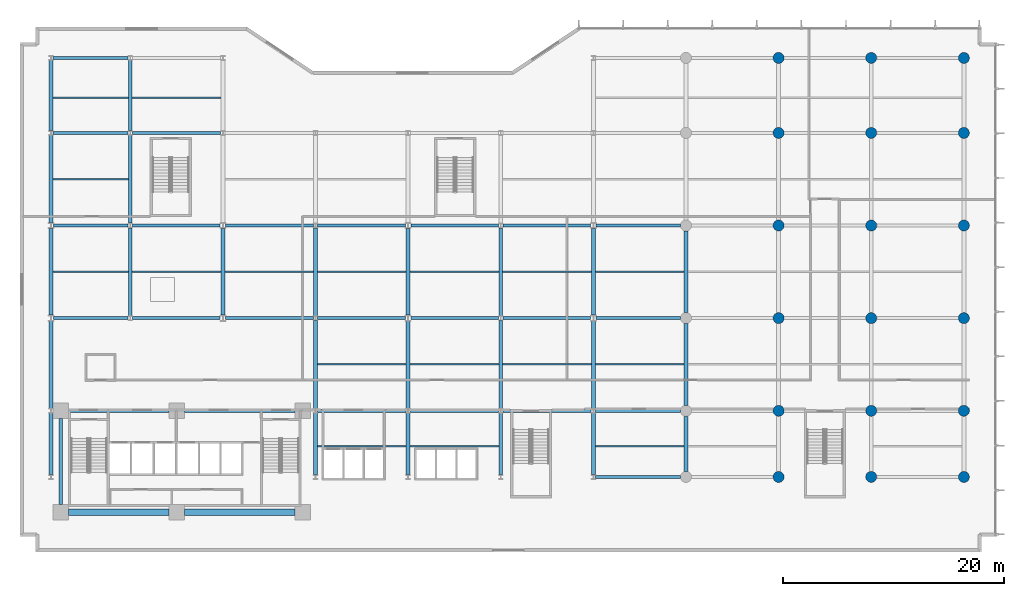
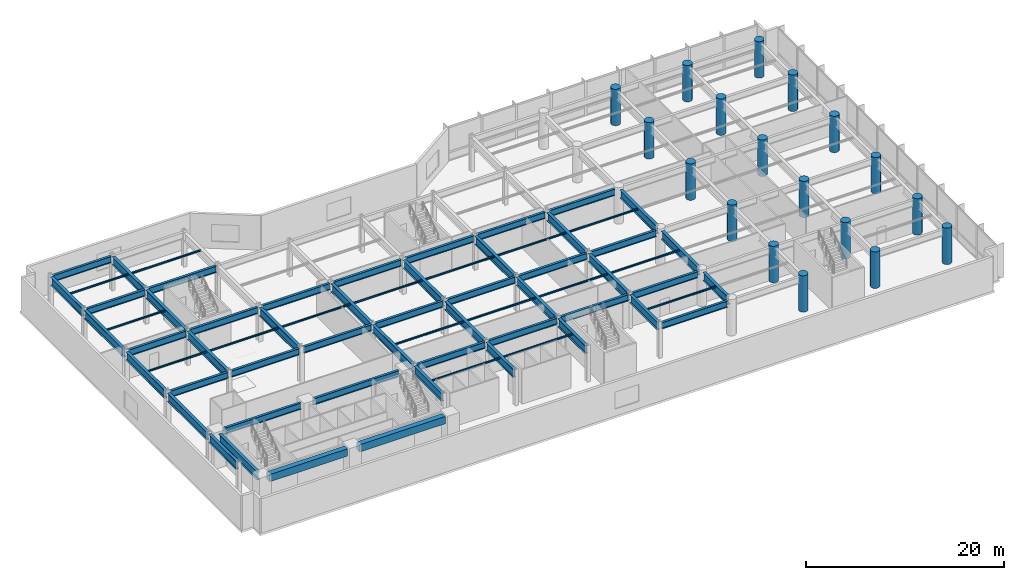
# One storey, part 3 of 26: 68 beams, 18 columns.
"""IFC4 building model written with IfcOpenShell, lengths in metres."""

import ifcopenshell
import ifcopenshell.guid

model = None  # the IFC model being written
_history = None  # IfcOwnerHistory: only IFC2X3 demands one
_inside = {}  # id of a spatial element -> (the spatial element, [elements in it])
_under = {}  # id of a project, library or spatial element -> (it, [spatial elements below it])
_declared = {}  # id of a project -> (the project, [libraries it declares])
_typed = {}  # id of a type object -> (the type object, [elements of that type])
_made_of = {}  # id of a material, layer set ... -> (it, [elements and type objects made of it])


def new_model(schema):
    """Start an empty IFC model of exactly this schema.

    Asked for "IFC4X3", IfcOpenShell would pick the latest addendum, in which some entities
    have other attributes; the version numbers below select the first issue.
    IFC2X3 requires an IfcOwnerHistory on every rooted entity: one is made here for all.
    """
    global model, _history
    if schema == "IFC4X3":
        model = ifcopenshell.file(schema_version=(4, 3, 0, 0))
    else:
        model = ifcopenshell.file(schema=schema)
    _inside.clear()
    _under.clear()
    _declared.clear()
    _typed.clear()
    _made_of.clear()
    _history = None
    if model.schema == "IFC2X3":
        org = make("IfcOrganization", Name="unknown")
        user = make(
            "IfcPersonAndOrganization",
            ThePerson=make("IfcPerson", FamilyName="unknown"),
            TheOrganization=org,
        )
        app = make(
            "IfcApplication",
            ApplicationDeveloper=org,
            Version="unknown",
            ApplicationFullName="unknown",
            ApplicationIdentifier="unknown",
        )
        _history = make(
            "IfcOwnerHistory",
            OwningUser=user,
            OwningApplication=app,
            ChangeAction="ADDED",
            CreationDate=0,
        )
    return model


def make(cls, **values):
    """One entity of the class cls with the attributes given. An attribute that is None is left unset."""
    return model.create_entity(
        cls, **{name: value for name, value in values.items() if value is not None}
    )


def rooted(cls, **values):
    """An entity with a GlobalId (a new one), such as an element, a storey or a relation."""
    return make(cls, GlobalId=ifcopenshell.guid.new(), OwnerHistory=_history, **values)


def si_unit(unit_type, name, prefix=None):
    """IfcSIUnit, for example si_unit("LENGTHUNIT", "METRE", prefix="MILLI")."""
    return make("IfcSIUnit", UnitType=unit_type, Prefix=prefix, Name=name)


def assignment(units):
    """IfcUnitAssignment: the units of a project."""
    return None if units is None else make("IfcUnitAssignment", Units=units)


def point(xyz):
    """IfcCartesianPoint."""
    return None if xyz is None else make("IfcCartesianPoint", Coordinates=xyz)


def direction(xyz):
    """IfcDirection."""
    return None if xyz is None else make("IfcDirection", DirectionRatios=xyz)


def frame(location, z_axis=None, x_axis=None):
    """IfcAxis2Placement3D, a coordinate frame: its origin and axes. An axis left out is left unset."""
    return make(
        "IfcAxis2Placement3D",
        Location=point(location),
        Axis=direction(z_axis),
        RefDirection=direction(x_axis),
    )


def frame_2d(location, x_axis=None):
    """IfcAxis2Placement2D, a coordinate frame in the plane: its origin and x axis."""
    return make(
        "IfcAxis2Placement2D", Location=point(location), RefDirection=direction(x_axis)
    )


def origin():
    """The frame at (0, 0, 0) with its axes left unset."""
    return frame((0.0, 0.0, 0.0))


def origin_2d():
    """The frame at (0, 0) in the plane with its x axis left unset."""
    return frame_2d((0.0, 0.0))


def place(relative_to, where):
    """IfcLocalPlacement: puts the frame where relative to a parent placement (None: the world)."""
    return make(
        "IfcLocalPlacement", PlacementRelTo=relative_to, RelativePlacement=where
    )


def context(
    kind, dimensions, precision=None, world=None, true_north=None, identifier=None
):
    """IfcGeometricRepresentationContext, for example the 3D "Model" context."""
    return make(
        "IfcGeometricRepresentationContext",
        ContextIdentifier=identifier,
        ContextType=kind,
        CoordinateSpaceDimension=dimensions,
        Precision=precision,
        WorldCoordinateSystem=world,
        TrueNorth=true_north,
    )


def subcontext(parent, identifier, kind, view, scale=None):
    """IfcGeometricRepresentationSubContext, for example "Body" below "Model"."""
    return make(
        "IfcGeometricRepresentationSubContext",
        ContextIdentifier=identifier,
        ContextType=kind,
        ParentContext=parent,
        TargetScale=scale,
        TargetView=view,
    )


def project(units=None, contexts=None):
    """IfcProject with its units and contexts."""
    return rooted(
        "IfcProject",
        Name="project",
        RepresentationContexts=contexts,
        UnitsInContext=assignment(units),
    )


def spatial(cls, under=None, at=None, **own):
    """A site, building, storey or space (cls), placed at a placement, below another one or the project."""
    s = rooted(cls, ObjectPlacement=at, **own)
    if under is not None:
        _under.setdefault(under.id(), (under, []))[1].append(s)
    return s


def profile(cls, at=None, kind="AREA", **sizes):
    """A parametric profile (cls). Its sizes go by their IFC names, for example OverallWidth=200.0."""
    return make(cls, ProfileType=kind, Position=at, **sizes)


def rectangle(**sizes):
    """IfcRectangleProfileDef."""
    return profile("IfcRectangleProfileDef", **sizes)


def circle(**sizes):
    """IfcCircleProfileDef."""
    return profile("IfcCircleProfileDef", **sizes)


def i_section(**sizes):
    """IfcIShapeProfileDef."""
    return profile("IfcIShapeProfileDef", **sizes)


def extrude(swept, where, along, depth):
    """IfcExtrudedAreaSolid: the profile swept, set in the frame where, extruded along a direction by depth."""
    return make(
        "IfcExtrudedAreaSolid",
        SweptArea=swept,
        Position=where,
        ExtrudedDirection=direction(along),
        Depth=depth,
    )


def shape(context_of_items, identifier, shape_type, items):
    """IfcShapeRepresentation: the items that make up one representation, for example the "Body"."""
    return make(
        "IfcShapeRepresentation",
        ContextOfItems=context_of_items,
        RepresentationIdentifier=identifier,
        RepresentationType=shape_type,
        Items=items,
    )


def material(Name=None, Category=None):
    """IfcMaterial."""
    return make("IfcMaterial", Name=Name, Category=Category)


def material_profile(
    of_material, cross_section, Name=None, Category=None, Priority=None
):
    """IfcMaterialProfile: a cross section and its material."""
    return make(
        "IfcMaterialProfile",
        Name=Name,
        Material=of_material,
        Profile=cross_section,
        Priority=Priority,
        Category=Category,
    )


def profile_set(profiles, Name=None, composite=None):
    """IfcMaterialProfileSet."""
    return make(
        "IfcMaterialProfileSet",
        Name=Name,
        MaterialProfiles=profiles,
        CompositeProfile=composite,
    )


def made_of(thing, what):
    """Note that an element or type object is made of a material, layer set ...; save() writes the relation."""
    if what is not None:
        _made_of.setdefault(what.id(), (what, []))[1].append(thing)
    return thing


def type_object(cls, material=None, **own):
    """A type object (cls), such as IfcWallType, which elements share."""
    return made_of(rooted(cls, **own), material)


def element(
    cls,
    number,
    at=None,
    inside=None,
    cuts=None,
    type_object=None,
    material=None,
    context=None,
    identifier="Body",
    shape_type=None,
    held_by="IfcProductDefinitionShape",
    body=None,
    shapes=None,
    **own,
):
    """One element of the class cls, such as IfcWall. Its Tag is "e" and its number.

    at: its placement. inside: the storey or other place that contains it. cuts: it is an
    opening in that element (IfcRelVoidsElement). A single representation is given by context,
    identifier, shape_type and body (its items); several are given by shapes. held_by: the class
    of the entity that holds the representations. save() writes the other relations.
    """
    e = rooted(cls, Tag="e%d" % number, ObjectPlacement=at, **own)
    if body is not None:
        shapes = [shape(context, identifier, shape_type, body)]
    if shapes is not None:
        e.Representation = make(held_by, Representations=shapes)
    if inside is not None:
        _inside.setdefault(inside.id(), (inside, []))[1].append(e)
    if cuts is not None:
        rooted(
            "IfcRelVoidsElement", RelatingBuildingElement=cuts, RelatedOpeningElement=e
        )
    if type_object is not None:
        _typed.setdefault(type_object.id(), (type_object, []))[1].append(e)
    return made_of(e, material)


def aggregate(whole, parts):
    """IfcRelAggregates: a whole, such as a stair, and the parts it consists of."""
    return rooted("IfcRelAggregates", RelatingObject=whole, RelatedObjects=parts)


def save(model, path):
    """Write the relations noted so far, then the file.

    IfcRelAggregates (storeys below a building ...), IfcRelContainedInSpatialStructure (elements
    in a storey), IfcRelDefinesByType, IfcRelAssociatesMaterial and IfcRelDeclares: one each for
    every whole, place, type object, material and project.
    """
    for whole, parts in _under.values():
        aggregate(whole, parts)
    for where, things in _inside.values():
        rooted(
            "IfcRelContainedInSpatialStructure",
            RelatedElements=things,
            RelatingStructure=where,
        )
    for kind, things in _typed.values():
        rooted("IfcRelDefinesByType", RelatedObjects=things, RelatingType=kind)
    for what, things in _made_of.values():
        rooted("IfcRelAssociatesMaterial", RelatedObjects=things, RelatingMaterial=what)
    for by, libraries in _declared.values():
        rooted("IfcRelDeclares", RelatingContext=by, RelatedDefinitions=libraries)
    model.write(path)


model = new_model("IFC4")

# Units and contexts
model_context = context("Model", 3, precision=1e-05, world=origin(), true_north=direction((0.0, 1.0)))
body_context = subcontext(model_context, "Body", "Model", "MODEL_VIEW")
ifc_project = project(units=[si_unit("LENGTHUNIT", "METRE"), si_unit("AREAUNIT", "SQUARE_METRE"), si_unit("VOLUMEUNIT", "CUBIC_METRE"), si_unit("PLANEANGLEUNIT", "RADIAN"), si_unit("MASSUNIT", "GRAM", prefix="KILO")], contexts=[model_context])

# Site, building, storey
site_placement = place(None, origin())
site = spatial("IfcSite", under=ifc_project, at=site_placement, CompositionType="ELEMENT")
building_placement = place(site_placement, origin())
building = spatial("IfcBuilding", under=site, at=building_placement, Name="Varnakote Quay Hospital", CompositionType="ELEMENT")
storey_placement = place(building_placement, frame((0.0, 0.0, 13.5)))
storey = spatial("IfcBuildingStorey", under=building, at=storey_placement, Name="L03", CompositionType="ELEMENT", Elevation=13.5)

# Columns
ifc_material_1 = material(Name="Concrete N65 (f'c 65 MPa)", Category="concrete")
ifc_material_profile_1 = material_profile(ifc_material_1, circle(Radius=0.5, at=origin_2d()), Name="RC-COL-D1000")
ifc_profile_set_1 = profile_set([ifc_material_profile_1], Name="Concrete N65 (f'c 65 MPa)")
column_type = type_object("IfcColumnType", Name="COL-RC-D1000", PredefinedType="COLUMN", material=ifc_profile_set_1)
for number, where, z_axis, x_axis, name in (
    (1, (67.199951171875, 6.0, 0.0), (0.0, 0.0, 1.0), (1.0, 0.0, 0.0), "L03 Structural Column C-67-6"),
    (2, (75.60009765625, 6.0, 0.0), (0.0, 0.0, 1.0), (1.0, 0.0, 0.0), "L03 Structural Column C-76-6"),
    (3, (84.0, 6.0, 0.0), (0.0, 0.0, 1.0), (1.0, 0.0, 0.0), "L03 Structural Column C-84-6"),
    (4, (67.199951171875, 12.0, 0.0), (0.0, 0.0, 1.0), (1.0, 0.0, 0.0), "L03 Structural Column C-67-12"),
    (5, (75.60009765625, 12.0, 0.0), (0.0, 0.0, 1.0), (1.0, 0.0, 0.0), "L03 Structural Column C-76-12"),
    (6, (84.0, 12.0, 0.0), (0.0, 0.0, 1.0), (1.0, 0.0, 0.0), "L03 Structural Column C-84-12"),
    (7, (67.199951171875, 20.39990234375, 0.0), (0.0, 0.0, 1.0), (1.0, 0.0, 0.0), "L03 Structural Column C-67-20"),
    (8, (75.60009765625, 20.39990234375, 0.0), (0.0, 0.0, 1.0), (1.0, 0.0, 0.0), "L03 Structural Column C-76-20"),
    (9, (84.0, 20.39990234375, 0.0), (0.0, 0.0, 1.0), (1.0, 0.0, 0.0), "L03 Structural Column C-84-20"),
    (10, (67.199951171875, 28.800048828125, 0.0), (0.0, 0.0, 1.0), (1.0, 0.0, 0.0), "L03 Structural Column C-67-29"),
    (11, (75.60009765625, 28.800048828125, 0.0), (0.0, 0.0, 1.0), (1.0, 0.0, 0.0), "L03 Structural Column C-76-29"),
    (12, (84.0, 28.800048828125, 0.0), (0.0, 0.0, 1.0), (1.0, 0.0, 0.0), "L03 Structural Column C-84-29"),
    (13, (67.199951171875, 37.199951171875, 0.0), (0.0, 0.0, 1.0), (1.0, 0.0, 0.0), "L03 Structural Column C-67-37"),
    (14, (75.60009765625, 37.199951171875, 0.0), (0.0, 0.0, 1.0), (1.0, 0.0, 0.0), "L03 Structural Column C-76-37"),
    (15, (84.0, 37.199951171875, 0.0), (0.0, 0.0, 1.0), (1.0, 0.0, 0.0), "L03 Structural Column C-84-37"),
    (16, (67.199951171875, 44.0, 0.0), (0.0, 0.0, 1.0), (1.0, 0.0, 0.0), "L03 Structural Column C-67-44"),
    (17, (75.60009765625, 44.0, 0.0), (0.0, 0.0, 1.0), (1.0, 0.0, 0.0), "L03 Structural Column C-76-44"),
    (18, (84.0, 44.0, 0.0), (0.0, 0.0, 1.0), (1.0, 0.0, 0.0), "L03 Structural Column C-84-44"),
):
    element("IfcColumn", number, at=place(storey_placement, frame(where, z_axis=z_axis, x_axis=x_axis)), inside=storey, type_object=column_type, Name=name, PredefinedType="COLUMN", context=body_context, shape_type="SweptSolid", body=[
        extrude(circle(Radius=0.5, at=origin_2d()), origin(), (0.0, 0.0, 1.0), 4.5),
    ])

# Beams
ifc_material_2 = material(Name="Concrete N65 (f'c 65 MPa)", Category="concrete")
ifc_material_profile_2 = material_profile(ifc_material_2, rectangle(XDim=0.60009765625, YDim=0.89990234375, at=origin_2d()), Name="RC-BM-600x900")
ifc_profile_set_2 = profile_set([ifc_material_profile_2], Name="Concrete N65 (f'c 65 MPa)")
beam_type_1 = type_object("IfcBeamType", Name="BM-RC-600x900", PredefinedType="BEAM", material=ifc_profile_set_2)
beam_1_placement = place(storey_placement, frame((2.800048828125, 2.800048828125, 3.800048828125), z_axis=(1.0, 0.0, 0.0), x_axis=(0.0, 1.0, 0.0)))
element("IfcBeam", 19, at=beam_1_placement, inside=storey, type_object=beam_type_1, Name="L03 Core Rear Coupling Beam", PredefinedType="BEAM", context=body_context, shape_type="SweptSolid", body=[
    extrude(rectangle(XDim=0.60009765625, YDim=0.89990234375, at=origin_2d()), origin(), (0.0, 0.0, 1.0), 9.119873046875),
])
beam_2_placement = place(storey_placement, frame((13.320068359375, 2.800048828125, 3.800048828125), z_axis=(1.0, 0.0, 0.0), x_axis=(0.0, 1.0, 0.0)))
element("IfcBeam", 20, at=beam_2_placement, inside=storey, type_object=beam_type_1, Name="L03 Core Rear Coupling Beam", PredefinedType="BEAM", context=body_context, shape_type="SweptSolid", body=[
    extrude(rectangle(XDim=0.60009765625, YDim=0.89990234375, at=origin_2d()), origin(), (0.0, 0.0, 1.0), 10.030029296875),
])
ifc_material_3 = material(Name="Structural steel AS/NZS 3678 Grade 350 (fy 340 MPa)", Category="steel")
ifc_material_profile_3 = material_profile(ifc_material_3, i_section(OverallWidth=0.35009765625, OverallDepth=1.010009765625, WebThickness=0.01611328125, FlangeThickness=0.02490234375, at=origin_2d()), Name="1000WB258")
ifc_profile_set_3 = profile_set([ifc_material_profile_3], Name="Structural steel AS/NZS 3678 Grade 350 (fy 340 MPa)")
beam_type_2 = type_object("IfcBeamType", Name="BM-STL-1000WB258", PredefinedType="BEAM", material=ifc_profile_set_3)
beam_3_placement = place(storey_placement, frame((1.199951171875, 6.2099609375, 3.7451171875), z_axis=(0.0, 1.0, 0.0), x_axis=(-1.0, 0.0, 0.0)))
element("IfcBeam", 21, at=beam_3_placement, inside=storey, type_object=beam_type_2, Name="L03 Primary Tie Beam", PredefinedType="BEAM", context=body_context, shape_type="SweptSolid", body=[
    extrude(i_section(OverallWidth=0.35009765625, OverallDepth=1.010009765625, WebThickness=0.01611328125, FlangeThickness=0.02490234375, at=origin_2d()), origin(), (0.0, 0.0, 1.0), 5.580078125),
])
beam_4_placement = place(storey_placement, frame((1.199951171875, 12.2099609375, 3.7451171875), z_axis=(0.0, 1.0, 0.0), x_axis=(-1.0, 0.0, 0.0)))
element("IfcBeam", 22, at=beam_4_placement, inside=storey, type_object=beam_type_2, Name="L03 Primary Tie Beam", PredefinedType="BEAM", context=body_context, shape_type="SweptSolid", body=[
    extrude(i_section(OverallWidth=0.35009765625, OverallDepth=1.010009765625, WebThickness=0.01611328125, FlangeThickness=0.02490234375, at=origin_2d()), origin(), (0.0, 0.0, 1.0), 7.925048828125),
])
beam_5_placement = place(storey_placement, frame((1.199951171875, 20.6650390625, 3.7451171875), z_axis=(0.0, 1.0, 0.0), x_axis=(-1.0, 0.0, 0.0)))
element("IfcBeam", 23, at=beam_5_placement, inside=storey, type_object=beam_type_2, Name="L03 Primary Tie Beam", PredefinedType="BEAM", context=body_context, shape_type="SweptSolid", body=[
    extrude(i_section(OverallWidth=0.35009765625, OverallDepth=1.010009765625, WebThickness=0.01611328125, FlangeThickness=0.02490234375, at=origin_2d()), origin(), (0.0, 0.0, 1.0), 7.869873046875),
])
beam_6_placement = place(storey_placement, frame((1.199951171875, 29.06494140625, 3.7451171875), z_axis=(0.0, 1.0, 0.0), x_axis=(-1.0, 0.0, 0.0)))
element("IfcBeam", 24, at=beam_6_placement, inside=storey, type_object=beam_type_2, Name="L03 Primary Tie Beam", PredefinedType="BEAM", context=body_context, shape_type="SweptSolid", body=[
    extrude(i_section(OverallWidth=0.35009765625, OverallDepth=1.010009765625, WebThickness=0.01611328125, FlangeThickness=0.02490234375, at=origin_2d()), origin(), (0.0, 0.0, 1.0), 7.925048828125),
])
beam_7_placement = place(storey_placement, frame((1.199951171875, 37.409912109375, 3.7451171875), z_axis=(0.0, 1.0, 0.0), x_axis=(-1.0, 0.0, 0.0)))
element("IfcBeam", 25, at=beam_7_placement, inside=storey, type_object=beam_type_2, Name="L03 Primary Tie Beam", PredefinedType="BEAM", context=body_context, shape_type="SweptSolid", body=[
    extrude(i_section(OverallWidth=0.35009765625, OverallDepth=1.010009765625, WebThickness=0.01611328125, FlangeThickness=0.02490234375, at=origin_2d()), origin(), (0.0, 0.0, 1.0), 6.380126953125),
])
beam_8_placement = place(storey_placement, frame((2.10009765625, 3.5, 3.7451171875), z_axis=(0.0, 1.0, 0.0), x_axis=(-1.0, 0.0, 0.0)))
element("IfcBeam", 26, at=beam_8_placement, inside=storey, type_object=beam_type_2, Name="L03 Primary Tie Beam", PredefinedType="BEAM", context=body_context, shape_type="SweptSolid", body=[
    extrude(i_section(OverallWidth=0.35009765625, OverallDepth=1.010009765625, WebThickness=0.01611328125, FlangeThickness=0.02490234375, at=origin_2d()), origin(), (0.0, 0.0, 1.0), 7.800048828125),
])
for number, where, z_axis, x_axis, name in (
    (27, (8.39990234375, 20.610107421875, 3.7451171875), (0.0, 1.0, 0.0), (-1.0, 0.0, 0.0), "L03 Primary Tie Beam"),
    (28, (8.39990234375, 29.010009765625, 3.7451171875), (0.0, 1.0, 0.0), (-1.0, 0.0, 0.0), "L03 Primary Tie Beam"),
):
    element("IfcBeam", number, at=place(storey_placement, frame(where, z_axis=z_axis, x_axis=x_axis)), inside=storey, type_object=beam_type_2, Name=name, PredefinedType="BEAM", context=body_context, shape_type="SweptSolid", body=[
        extrude(i_section(OverallWidth=0.35009765625, OverallDepth=1.010009765625, WebThickness=0.01611328125, FlangeThickness=0.02490234375, at=origin_2d()), origin(), (0.0, 0.0, 1.0), 7.97998046875),
    ])
beam_9_placement = place(storey_placement, frame((8.39990234375, 37.409912109375, 3.7451171875), z_axis=(0.0, 1.0, 0.0), x_axis=(-1.0, 0.0, 0.0)))
element("IfcBeam", 29, at=beam_9_placement, inside=storey, type_object=beam_type_2, Name="L03 Primary Tie Beam", PredefinedType="BEAM", context=body_context, shape_type="SweptSolid", body=[
    extrude(i_section(OverallWidth=0.35009765625, OverallDepth=1.010009765625, WebThickness=0.01611328125, FlangeThickness=0.02490234375, at=origin_2d()), origin(), (0.0, 0.0, 1.0), 6.380126953125),
])
beam_10_placement = place(storey_placement, frame((16.800048828125, 20.6650390625, 3.7451171875), z_axis=(0.0, 1.0, 0.0), x_axis=(-1.0, 0.0, 0.0)))
element("IfcBeam", 30, at=beam_10_placement, inside=storey, type_object=beam_type_2, Name="L03 Primary Tie Beam", PredefinedType="BEAM", context=body_context, shape_type="SweptSolid", body=[
    extrude(i_section(OverallWidth=0.35009765625, OverallDepth=1.010009765625, WebThickness=0.01611328125, FlangeThickness=0.02490234375, at=origin_2d()), origin(), (0.0, 0.0, 1.0), 7.869873046875),
])
beam_11_placement = place(storey_placement, frame((25.199951171875, 6.2099609375, 3.7451171875), z_axis=(0.0, 1.0, 0.0), x_axis=(-1.0, 0.0, 0.0)))
element("IfcBeam", 31, at=beam_11_placement, inside=storey, type_object=beam_type_2, Name="L03 Primary Tie Beam", PredefinedType="BEAM", context=body_context, shape_type="SweptSolid", body=[
    extrude(i_section(OverallWidth=0.35009765625, OverallDepth=1.010009765625, WebThickness=0.01611328125, FlangeThickness=0.02490234375, at=origin_2d()), origin(), (0.0, 0.0, 1.0), 5.580078125),
])
for number, where, z_axis, x_axis, name in (
    (32, (25.199951171875, 12.2099609375, 3.7451171875), (0.0, 1.0, 0.0), (-1.0, 0.0, 0.0), "L03 Primary Tie Beam"),
    (33, (25.199951171875, 20.610107421875, 3.7451171875), (0.0, 1.0, 0.0), (-1.0, 0.0, 0.0), "L03 Primary Tie Beam"),
):
    element("IfcBeam", number, at=place(storey_placement, frame(where, z_axis=z_axis, x_axis=x_axis)), inside=storey, type_object=beam_type_2, Name=name, PredefinedType="BEAM", context=body_context, shape_type="SweptSolid", body=[
        extrude(i_section(OverallWidth=0.35009765625, OverallDepth=1.010009765625, WebThickness=0.01611328125, FlangeThickness=0.02490234375, at=origin_2d()), origin(), (0.0, 0.0, 1.0), 7.97998046875),
    ])
beam_12_placement = place(storey_placement, frame((33.60009765625, 6.2099609375, 3.7451171875), z_axis=(0.0, 1.0, 0.0), x_axis=(-1.0, 0.0, 0.0)))
element("IfcBeam", 34, at=beam_12_placement, inside=storey, type_object=beam_type_2, Name="L03 Primary Tie Beam", PredefinedType="BEAM", context=body_context, shape_type="SweptSolid", body=[
    extrude(i_section(OverallWidth=0.35009765625, OverallDepth=1.010009765625, WebThickness=0.01611328125, FlangeThickness=0.02490234375, at=origin_2d()), origin(), (0.0, 0.0, 1.0), 5.580078125),
])
beam_13_placement = place(storey_placement, frame((33.60009765625, 12.2099609375, 3.7451171875), z_axis=(0.0, 1.0, 0.0), x_axis=(-1.0, 0.0, 0.0)))
element("IfcBeam", 35, at=beam_13_placement, inside=storey, type_object=beam_type_2, Name="L03 Primary Tie Beam", PredefinedType="BEAM", context=body_context, shape_type="SweptSolid", body=[
    extrude(i_section(OverallWidth=0.35009765625, OverallDepth=1.010009765625, WebThickness=0.01611328125, FlangeThickness=0.02490234375, at=origin_2d()), origin(), (0.0, 0.0, 1.0), 7.925048828125),
])
beam_14_placement = place(storey_placement, frame((33.60009765625, 20.6650390625, 3.7451171875), z_axis=(0.0, 1.0, 0.0), x_axis=(-1.0, 0.0, 0.0)))
element("IfcBeam", 36, at=beam_14_placement, inside=storey, type_object=beam_type_2, Name="L03 Primary Tie Beam", PredefinedType="BEAM", context=body_context, shape_type="SweptSolid", body=[
    extrude(i_section(OverallWidth=0.35009765625, OverallDepth=1.010009765625, WebThickness=0.01611328125, FlangeThickness=0.02490234375, at=origin_2d()), origin(), (0.0, 0.0, 1.0), 7.869873046875),
])
beam_15_placement = place(storey_placement, frame((42.0, 6.2099609375, 3.7451171875), z_axis=(0.0, 1.0, 0.0), x_axis=(-1.0, 0.0, 0.0)))
element("IfcBeam", 37, at=beam_15_placement, inside=storey, type_object=beam_type_2, Name="L03 Primary Tie Beam", PredefinedType="BEAM", context=body_context, shape_type="SweptSolid", body=[
    extrude(i_section(OverallWidth=0.35009765625, OverallDepth=1.010009765625, WebThickness=0.01611328125, FlangeThickness=0.02490234375, at=origin_2d()), origin(), (0.0, 0.0, 1.0), 5.580078125),
])
for number, where, z_axis, x_axis, name in (
    (38, (42.0, 12.2099609375, 3.7451171875), (0.0, 1.0, 0.0), (-1.0, 0.0, 0.0), "L03 Primary Tie Beam"),
    (39, (42.0, 20.610107421875, 3.7451171875), (0.0, 1.0, 0.0), (-1.0, 0.0, 0.0), "L03 Primary Tie Beam"),
):
    element("IfcBeam", number, at=place(storey_placement, frame(where, z_axis=z_axis, x_axis=x_axis)), inside=storey, type_object=beam_type_2, Name=name, PredefinedType="BEAM", context=body_context, shape_type="SweptSolid", body=[
        extrude(i_section(OverallWidth=0.35009765625, OverallDepth=1.010009765625, WebThickness=0.01611328125, FlangeThickness=0.02490234375, at=origin_2d()), origin(), (0.0, 0.0, 1.0), 7.97998046875),
    ])
beam_16_placement = place(storey_placement, frame((50.39990234375, 6.2099609375, 3.7451171875), z_axis=(0.0, 1.0, 0.0), x_axis=(-1.0, 0.0, 0.0)))
element("IfcBeam", 40, at=beam_16_placement, inside=storey, type_object=beam_type_2, Name="L03 Primary Tie Beam", PredefinedType="BEAM", context=body_context, shape_type="SweptSolid", body=[
    extrude(i_section(OverallWidth=0.35009765625, OverallDepth=1.010009765625, WebThickness=0.01611328125, FlangeThickness=0.02490234375, at=origin_2d()), origin(), (0.0, 0.0, 1.0), 5.580078125),
])
beam_17_placement = place(storey_placement, frame((50.39990234375, 12.2099609375, 3.7451171875), z_axis=(0.0, 1.0, 0.0), x_axis=(-1.0, 0.0, 0.0)))
element("IfcBeam", 41, at=beam_17_placement, inside=storey, type_object=beam_type_2, Name="L03 Primary Tie Beam", PredefinedType="BEAM", context=body_context, shape_type="SweptSolid", body=[
    extrude(i_section(OverallWidth=0.35009765625, OverallDepth=1.010009765625, WebThickness=0.01611328125, FlangeThickness=0.02490234375, at=origin_2d()), origin(), (0.0, 0.0, 1.0), 7.925048828125),
])
beam_18_placement = place(storey_placement, frame((50.39990234375, 20.6650390625, 3.7451171875), z_axis=(0.0, 1.0, 0.0), x_axis=(-1.0, 0.0, 0.0)))
element("IfcBeam", 42, at=beam_18_placement, inside=storey, type_object=beam_type_2, Name="L03 Primary Tie Beam", PredefinedType="BEAM", context=body_context, shape_type="SweptSolid", body=[
    extrude(i_section(OverallWidth=0.35009765625, OverallDepth=1.010009765625, WebThickness=0.01611328125, FlangeThickness=0.02490234375, at=origin_2d()), origin(), (0.0, 0.0, 1.0), 7.869873046875),
])
beam_19_placement = place(storey_placement, frame((58.800048828125, 6.5, 3.7451171875), z_axis=(0.0, 1.0, 0.0), x_axis=(-1.0, 0.0, 0.0)))
element("IfcBeam", 43, at=beam_19_placement, inside=storey, type_object=beam_type_2, Name="L03 Primary Tie Beam", PredefinedType="BEAM", context=body_context, shape_type="SweptSolid", body=[
    extrude(i_section(OverallWidth=0.35009765625, OverallDepth=1.010009765625, WebThickness=0.01611328125, FlangeThickness=0.02490234375, at=origin_2d()), origin(), (0.0, 0.0, 1.0), 5.0),
])
beam_20_placement = place(storey_placement, frame((58.800048828125, 12.5, 3.7451171875), z_axis=(0.0, 1.0, 0.0), x_axis=(-1.0, 0.0, 0.0)))
element("IfcBeam", 44, at=beam_20_placement, inside=storey, type_object=beam_type_2, Name="L03 Primary Tie Beam", PredefinedType="BEAM", context=body_context, shape_type="SweptSolid", body=[
    extrude(i_section(OverallWidth=0.35009765625, OverallDepth=1.010009765625, WebThickness=0.01611328125, FlangeThickness=0.02490234375, at=origin_2d()), origin(), (0.0, 0.0, 1.0), 7.39990234375),
])
beam_21_placement = place(storey_placement, frame((58.800048828125, 20.89990234375, 3.7451171875), z_axis=(0.0, 1.0, 0.0), x_axis=(-1.0, 0.0, 0.0)))
element("IfcBeam", 45, at=beam_21_placement, inside=storey, type_object=beam_type_2, Name="L03 Primary Tie Beam", PredefinedType="BEAM", context=body_context, shape_type="SweptSolid", body=[
    extrude(i_section(OverallWidth=0.35009765625, OverallDepth=1.010009765625, WebThickness=0.01611328125, FlangeThickness=0.02490234375, at=origin_2d()), origin(), (0.0, 0.0, 1.0), 7.400146484375),
])
ifc_material_4 = material(Name="Structural steel AS/NZS 3678 Grade 350 (fy 340 MPa)", Category="steel")
ifc_material_profile_4 = material_profile(ifc_material_4, i_section(OverallWidth=0.27490234375, OverallDepth=0.800048828125, WebThickness=0.010009765625, FlangeThickness=0.02001953125, at=origin_2d()), Name="800WB146")
ifc_profile_set_4 = profile_set([ifc_material_profile_4], Name="Structural steel AS/NZS 3678 Grade 350 (fy 340 MPa)")
beam_type_3 = type_object("IfcBeamType", Name="BM-STL-800WB146", PredefinedType="BEAM", material=ifc_profile_set_4)
beam_22_placement = place(storey_placement, frame((50.60009765625, 6.0, 3.85009765625), z_axis=(1.0, 0.0, 0.0), x_axis=(0.0, 1.0, 0.0)))
element("IfcBeam", 46, at=beam_22_placement, inside=storey, type_object=beam_type_3, Name="L03 Primary Floor Beam", PredefinedType="BEAM", context=body_context, shape_type="SweptSolid", body=[
    extrude(i_section(OverallWidth=0.27490234375, OverallDepth=0.800048828125, WebThickness=0.010009765625, FlangeThickness=0.02001953125, at=origin_2d()), origin(), (0.0, 0.0, 1.0), 7.699951171875),
])
beam_23_placement = place(storey_placement, frame((2.800048828125, 12.0, 3.85009765625), z_axis=(1.0, 0.0, 0.0), x_axis=(0.0, 1.0, 0.0)))
element("IfcBeam", 47, at=beam_23_placement, inside=storey, type_object=beam_type_3, Name="L03 Primary Floor Beam", PredefinedType="BEAM", context=body_context, shape_type="SweptSolid", body=[
    extrude(i_section(OverallWidth=0.27490234375, OverallDepth=0.800048828125, WebThickness=0.010009765625, FlangeThickness=0.02001953125, at=origin_2d()), origin(), (0.0, 0.0, 1.0), 9.119873046875),
])
beam_24_placement = place(storey_placement, frame((13.320068359375, 12.0, 3.85009765625), z_axis=(1.0, 0.0, 0.0), x_axis=(0.0, 1.0, 0.0)))
element("IfcBeam", 48, at=beam_24_placement, inside=storey, type_object=beam_type_3, Name="L03 Primary Floor Beam", PredefinedType="BEAM", context=body_context, shape_type="SweptSolid", body=[
    extrude(i_section(OverallWidth=0.27490234375, OverallDepth=0.800048828125, WebThickness=0.010009765625, FlangeThickness=0.02001953125, at=origin_2d()), origin(), (0.0, 0.0, 1.0), 10.030029296875),
])
for number, where, z_axis, x_axis, name in (
    (49, (25.39990234375, 12.0, 3.85009765625), (1.0, 0.0, 0.0), (0.0, 1.0, 0.0), "L03 Primary Floor Beam"),
    (50, (33.800048828125, 12.0, 3.85009765625), (1.0, 0.0, 0.0), (0.0, 1.0, 0.0), "L03 Primary Floor Beam"),
    (51, (42.199951171875, 12.0, 3.85009765625), (1.0, 0.0, 0.0), (0.0, 1.0, 0.0), "L03 Primary Floor Beam"),
):
    element("IfcBeam", number, at=place(storey_placement, frame(where, z_axis=z_axis, x_axis=x_axis)), inside=storey, type_object=beam_type_3, Name=name, PredefinedType="BEAM", context=body_context, shape_type="SweptSolid", body=[
        extrude(i_section(OverallWidth=0.27490234375, OverallDepth=0.800048828125, WebThickness=0.010009765625, FlangeThickness=0.02001953125, at=origin_2d()), origin(), (0.0, 0.0, 1.0), 8.0),
    ])
beam_25_placement = place(storey_placement, frame((50.60009765625, 12.0, 3.85009765625), z_axis=(1.0, 0.0, 0.0), x_axis=(0.0, 1.0, 0.0)))
element("IfcBeam", 52, at=beam_25_placement, inside=storey, type_object=beam_type_3, Name="L03 Primary Floor Beam", PredefinedType="BEAM", context=body_context, shape_type="SweptSolid", body=[
    extrude(i_section(OverallWidth=0.27490234375, OverallDepth=0.800048828125, WebThickness=0.010009765625, FlangeThickness=0.02001953125, at=origin_2d()), origin(), (0.0, 0.0, 1.0), 7.699951171875),
])
beam_26_placement = place(storey_placement, frame((1.449951171875, 20.39990234375, 3.85009765625), z_axis=(1.0, 0.0, 0.0), x_axis=(0.0, 1.0, 0.0)))
element("IfcBeam", 53, at=beam_26_placement, inside=storey, type_object=beam_type_3, Name="L03 Primary Floor Beam", PredefinedType="BEAM", context=body_context, shape_type="SweptSolid", body=[
    extrude(i_section(OverallWidth=0.27490234375, OverallDepth=0.800048828125, WebThickness=0.010009765625, FlangeThickness=0.02001953125, at=origin_2d()), origin(), (0.0, 0.0, 1.0), 6.75),
])
for number, where, z_axis, x_axis, name in (
    (54, (8.60009765625, 20.39990234375, 3.85009765625), (1.0, 0.0, 0.0), (0.0, 1.0, 0.0), "L03 Primary Floor Beam"),
    (55, (17.050048828125, 20.39990234375, 3.85009765625), (1.0, 0.0, 0.0), (0.0, 1.0, 0.0), "L03 Primary Floor Beam"),
):
    element("IfcBeam", number, at=place(storey_placement, frame(where, z_axis=z_axis, x_axis=x_axis)), inside=storey, type_object=beam_type_3, Name=name, PredefinedType="BEAM", context=body_context, shape_type="SweptSolid", body=[
        extrude(i_section(OverallWidth=0.27490234375, OverallDepth=0.800048828125, WebThickness=0.010009765625, FlangeThickness=0.02001953125, at=origin_2d()), origin(), (0.0, 0.0, 1.0), 7.949951171875),
    ])
beam_27_placement = place(storey_placement, frame((25.39990234375, 20.39990234375, 3.85009765625), z_axis=(1.0, 0.0, 0.0), x_axis=(0.0, 1.0, 0.0)))
element("IfcBeam", 56, at=beam_27_placement, inside=storey, type_object=beam_type_3, Name="L03 Primary Floor Beam", PredefinedType="BEAM", context=body_context, shape_type="SweptSolid", body=[
    extrude(i_section(OverallWidth=0.27490234375, OverallDepth=0.800048828125, WebThickness=0.010009765625, FlangeThickness=0.02001953125, at=origin_2d()), origin(), (0.0, 0.0, 1.0), 7.9501953125),
])
for number, where, z_axis, x_axis, name in (
    (57, (33.85009765625, 20.39990234375, 3.85009765625), (1.0, 0.0, 0.0), (0.0, 1.0, 0.0), "L03 Primary Floor Beam"),
    (58, (42.199951171875, 20.39990234375, 3.85009765625), (1.0, 0.0, 0.0), (0.0, 1.0, 0.0), "L03 Primary Floor Beam"),
):
    element("IfcBeam", number, at=place(storey_placement, frame(where, z_axis=z_axis, x_axis=x_axis)), inside=storey, type_object=beam_type_3, Name=name, PredefinedType="BEAM", context=body_context, shape_type="SweptSolid", body=[
        extrude(i_section(OverallWidth=0.27490234375, OverallDepth=0.800048828125, WebThickness=0.010009765625, FlangeThickness=0.02001953125, at=origin_2d()), origin(), (0.0, 0.0, 1.0), 7.949951171875),
    ])
beam_28_placement = place(storey_placement, frame((50.64990234375, 20.39990234375, 3.85009765625), z_axis=(1.0, 0.0, 0.0), x_axis=(0.0, 1.0, 0.0)))
element("IfcBeam", 59, at=beam_28_placement, inside=storey, type_object=beam_type_3, Name="L03 Primary Floor Beam", PredefinedType="BEAM", context=body_context, shape_type="SweptSolid", body=[
    extrude(i_section(OverallWidth=0.27490234375, OverallDepth=0.800048828125, WebThickness=0.010009765625, FlangeThickness=0.02001953125, at=origin_2d()), origin(), (0.0, 0.0, 1.0), 7.650146484375),
])
beam_29_placement = place(storey_placement, frame((1.449951171875, 28.800048828125, 3.85009765625), z_axis=(1.0, 0.0, 0.0), x_axis=(0.0, 1.0, 0.0)))
element("IfcBeam", 60, at=beam_29_placement, inside=storey, type_object=beam_type_3, Name="L03 Primary Floor Beam", PredefinedType="BEAM", context=body_context, shape_type="SweptSolid", body=[
    extrude(i_section(OverallWidth=0.27490234375, OverallDepth=0.800048828125, WebThickness=0.010009765625, FlangeThickness=0.02001953125, at=origin_2d()), origin(), (0.0, 0.0, 1.0), 6.75),
])
for number, where, z_axis, x_axis, name in (
    (61, (8.60009765625, 28.800048828125, 3.85009765625), (1.0, 0.0, 0.0), (0.0, 1.0, 0.0), "L03 Primary Floor Beam"),
    (62, (17.050048828125, 28.800048828125, 3.85009765625), (1.0, 0.0, 0.0), (0.0, 1.0, 0.0), "L03 Primary Floor Beam"),
):
    element("IfcBeam", number, at=place(storey_placement, frame(where, z_axis=z_axis, x_axis=x_axis)), inside=storey, type_object=beam_type_3, Name=name, PredefinedType="BEAM", context=body_context, shape_type="SweptSolid", body=[
        extrude(i_section(OverallWidth=0.27490234375, OverallDepth=0.800048828125, WebThickness=0.010009765625, FlangeThickness=0.02001953125, at=origin_2d()), origin(), (0.0, 0.0, 1.0), 7.949951171875),
    ])
beam_30_placement = place(storey_placement, frame((25.39990234375, 28.800048828125, 3.85009765625), z_axis=(1.0, 0.0, 0.0), x_axis=(0.0, 1.0, 0.0)))
element("IfcBeam", 63, at=beam_30_placement, inside=storey, type_object=beam_type_3, Name="L03 Primary Floor Beam", PredefinedType="BEAM", context=body_context, shape_type="SweptSolid", body=[
    extrude(i_section(OverallWidth=0.27490234375, OverallDepth=0.800048828125, WebThickness=0.010009765625, FlangeThickness=0.02001953125, at=origin_2d()), origin(), (0.0, 0.0, 1.0), 7.9501953125),
])
for number, where, z_axis, x_axis, name in (
    (64, (33.85009765625, 28.800048828125, 3.85009765625), (1.0, 0.0, 0.0), (0.0, 1.0, 0.0), "L03 Primary Floor Beam"),
    (65, (42.199951171875, 28.800048828125, 3.85009765625), (1.0, 0.0, 0.0), (0.0, 1.0, 0.0), "L03 Primary Floor Beam"),
):
    element("IfcBeam", number, at=place(storey_placement, frame(where, z_axis=z_axis, x_axis=x_axis)), inside=storey, type_object=beam_type_3, Name=name, PredefinedType="BEAM", context=body_context, shape_type="SweptSolid", body=[
        extrude(i_section(OverallWidth=0.27490234375, OverallDepth=0.800048828125, WebThickness=0.010009765625, FlangeThickness=0.02001953125, at=origin_2d()), origin(), (0.0, 0.0, 1.0), 7.949951171875),
    ])
beam_31_placement = place(storey_placement, frame((50.64990234375, 28.800048828125, 3.85009765625), z_axis=(1.0, 0.0, 0.0), x_axis=(0.0, 1.0, 0.0)))
element("IfcBeam", 66, at=beam_31_placement, inside=storey, type_object=beam_type_3, Name="L03 Primary Floor Beam", PredefinedType="BEAM", context=body_context, shape_type="SweptSolid", body=[
    extrude(i_section(OverallWidth=0.27490234375, OverallDepth=0.800048828125, WebThickness=0.010009765625, FlangeThickness=0.02001953125, at=origin_2d()), origin(), (0.0, 0.0, 1.0), 7.650146484375),
])
beam_32_placement = place(storey_placement, frame((1.39990234375, 37.199951171875, 3.85009765625), z_axis=(1.0, 0.0, 0.0), x_axis=(0.0, 1.0, 0.0)))
element("IfcBeam", 67, at=beam_32_placement, inside=storey, type_object=beam_type_3, Name="L03 Primary Floor Beam", PredefinedType="BEAM", context=body_context, shape_type="SweptSolid", body=[
    extrude(i_section(OverallWidth=0.27490234375, OverallDepth=0.800048828125, WebThickness=0.010009765625, FlangeThickness=0.02001953125, at=origin_2d()), origin(), (0.0, 0.0, 1.0), 6.800048828125),
])
beam_33_placement = place(storey_placement, frame((8.60009765625, 37.199951171875, 3.85009765625), z_axis=(1.0, 0.0, 0.0), x_axis=(0.0, 1.0, 0.0)))
element("IfcBeam", 68, at=beam_33_placement, inside=storey, type_object=beam_type_3, Name="L03 Primary Floor Beam", PredefinedType="BEAM", context=body_context, shape_type="SweptSolid", body=[
    extrude(i_section(OverallWidth=0.27490234375, OverallDepth=0.800048828125, WebThickness=0.010009765625, FlangeThickness=0.02001953125, at=origin_2d()), origin(), (0.0, 0.0, 1.0), 8.0),
])
beam_34_placement = place(storey_placement, frame((1.39990234375, 44.0, 3.85009765625), z_axis=(1.0, 0.0, 0.0), x_axis=(0.0, 1.0, 0.0)))
element("IfcBeam", 69, at=beam_34_placement, inside=storey, type_object=beam_type_3, Name="L03 Primary Floor Beam", PredefinedType="BEAM", context=body_context, shape_type="SweptSolid", body=[
    extrude(i_section(OverallWidth=0.27490234375, OverallDepth=0.800048828125, WebThickness=0.010009765625, FlangeThickness=0.02001953125, at=origin_2d()), origin(), (0.0, 0.0, 1.0), 6.800048828125),
])
ifc_material_5 = material(Name="Structural steel AS/NZS 3679.1 Grade 350 L0 (fy 340 MPa)", Category="steel")
ifc_material_profile_5 = material_profile(ifc_material_5, i_section(OverallWidth=0.134033203125, OverallDepth=0.20703125, WebThickness=0.00634765625, FlangeThickness=0.009521484375, FilletRadius=0.0087890625, at=origin_2d()), Name="200UB29.8")
ifc_profile_set_5 = profile_set([ifc_material_profile_5], Name="Structural steel AS/NZS 3679.1 Grade 350 L0 (fy 340 MPa)")
beam_type_4 = type_object("IfcBeamType", Name="JST-STL-200UB29-8", PredefinedType="JOIST", material=ifc_profile_set_5)
for number, where, z_axis, x_axis, name in (
    (70, (25.375, 8.800048828125, 4.146484375), (1.0, 0.0, 0.0), (0.0, 1.0, 0.0), "L03 Composite Floor Joist"),
    (71, (33.77490234375, 8.800048828125, 4.146484375), (1.0, 0.0, 0.0), (0.0, 1.0, 0.0), "L03 Composite Floor Joist"),
    (72, (50.574951171875, 8.800048828125, 4.146484375), (1.0, 0.0, 0.0), (0.0, 1.0, 0.0), "L03 Composite Floor Joist"),
    (73, (25.375, 16.199951171875, 4.146484375), (1.0, 0.0, 0.0), (0.0, 1.0, 0.0), "L03 Composite Floor Joist"),
    (74, (33.77490234375, 16.199951171875, 4.146484375), (1.0, 0.0, 0.0), (0.0, 1.0, 0.0), "L03 Composite Floor Joist"),
    (75, (42.175048828125, 16.199951171875, 4.146484375), (1.0, 0.0, 0.0), (0.0, 1.0, 0.0), "L03 Composite Floor Joist"),
    (76, (50.574951171875, 16.199951171875, 4.146484375), (1.0, 0.0, 0.0), (0.0, 1.0, 0.0), "L03 Composite Floor Joist"),
):
    element("IfcBeam", number, at=place(storey_placement, frame(where, z_axis=z_axis, x_axis=x_axis)), inside=storey, type_object=beam_type_4, Name=name, PredefinedType="JOIST", context=body_context, shape_type="SweptSolid", body=[
        extrude(i_section(OverallWidth=0.134033203125, OverallDepth=0.20703125, WebThickness=0.00634765625, FlangeThickness=0.009521484375, FilletRadius=0.0087890625, at=origin_2d()), origin(), (0.0, 0.0, 1.0), 8.050048828125),
    ])
beam_35_placement = place(storey_placement, frame((1.375, 24.60009765625, 4.146484375), z_axis=(1.0, 0.0, 0.0), x_axis=(0.0, 1.0, 0.0)))
element("IfcBeam", 77, at=beam_35_placement, inside=storey, type_object=beam_type_4, Name="L03 Composite Floor Joist", PredefinedType="JOIST", context=body_context, shape_type="SweptSolid", body=[
    extrude(i_section(OverallWidth=0.134033203125, OverallDepth=0.20703125, WebThickness=0.00634765625, FlangeThickness=0.009521484375, FilletRadius=0.0087890625, at=origin_2d()), origin(), (0.0, 0.0, 1.0), 6.85009765625),
])
beam_36_placement = place(storey_placement, frame((8.574951171875, 24.60009765625, 4.146484375), z_axis=(1.0, 0.0, 0.0), x_axis=(0.0, 1.0, 0.0)))
element("IfcBeam", 78, at=beam_36_placement, inside=storey, type_object=beam_type_4, Name="L03 Composite Floor Joist", PredefinedType="JOIST", context=body_context, shape_type="SweptSolid", body=[
    extrude(i_section(OverallWidth=0.134033203125, OverallDepth=0.20703125, WebThickness=0.00634765625, FlangeThickness=0.009521484375, FilletRadius=0.0087890625, at=origin_2d()), origin(), (0.0, 0.0, 1.0), 8.050048828125),
])
beam_37_placement = place(storey_placement, frame((16.97509765625, 24.60009765625, 4.146484375), z_axis=(1.0, 0.0, 0.0), x_axis=(0.0, 1.0, 0.0)))
element("IfcBeam", 79, at=beam_37_placement, inside=storey, type_object=beam_type_4, Name="L03 Composite Floor Joist", PredefinedType="JOIST", context=body_context, shape_type="SweptSolid", body=[
    extrude(i_section(OverallWidth=0.134033203125, OverallDepth=0.20703125, WebThickness=0.00634765625, FlangeThickness=0.009521484375, FilletRadius=0.0087890625, at=origin_2d()), origin(), (0.0, 0.0, 1.0), 8.0498046875),
])
for number, where, z_axis, x_axis, name in (
    (80, (25.375, 24.60009765625, 4.146484375), (1.0, 0.0, 0.0), (0.0, 1.0, 0.0), "L03 Composite Floor Joist"),
    (81, (33.77490234375, 24.60009765625, 4.146484375), (1.0, 0.0, 0.0), (0.0, 1.0, 0.0), "L03 Composite Floor Joist"),
    (82, (42.175048828125, 24.60009765625, 4.146484375), (1.0, 0.0, 0.0), (0.0, 1.0, 0.0), "L03 Composite Floor Joist"),
    (83, (50.574951171875, 24.60009765625, 4.146484375), (1.0, 0.0, 0.0), (0.0, 1.0, 0.0), "L03 Composite Floor Joist"),
):
    element("IfcBeam", number, at=place(storey_placement, frame(where, z_axis=z_axis, x_axis=x_axis)), inside=storey, type_object=beam_type_4, Name=name, PredefinedType="JOIST", context=body_context, shape_type="SweptSolid", body=[
        extrude(i_section(OverallWidth=0.134033203125, OverallDepth=0.20703125, WebThickness=0.00634765625, FlangeThickness=0.009521484375, FilletRadius=0.0087890625, at=origin_2d()), origin(), (0.0, 0.0, 1.0), 8.050048828125),
    ])
for number, where, z_axis, x_axis, name in (
    (84, (1.375, 33.0, 4.146484375), (1.0, 0.0, 0.0), (0.0, 1.0, 0.0), "L03 Composite Floor Joist"),
    (85, (1.375, 40.39990234375, 4.146484375), (1.0, 0.0, 0.0), (0.0, 1.0, 0.0), "L03 Composite Floor Joist"),
):
    element("IfcBeam", number, at=place(storey_placement, frame(where, z_axis=z_axis, x_axis=x_axis)), inside=storey, type_object=beam_type_4, Name=name, PredefinedType="JOIST", context=body_context, shape_type="SweptSolid", body=[
        extrude(i_section(OverallWidth=0.134033203125, OverallDepth=0.20703125, WebThickness=0.00634765625, FlangeThickness=0.009521484375, FilletRadius=0.0087890625, at=origin_2d()), origin(), (0.0, 0.0, 1.0), 6.85009765625),
    ])
beam_38_placement = place(storey_placement, frame((8.574951171875, 40.39990234375, 4.146484375), z_axis=(1.0, 0.0, 0.0), x_axis=(0.0, 1.0, 0.0)))
element("IfcBeam", 86, at=beam_38_placement, inside=storey, type_object=beam_type_4, Name="L03 Composite Floor Joist", PredefinedType="JOIST", context=body_context, shape_type="SweptSolid", body=[
    extrude(i_section(OverallWidth=0.134033203125, OverallDepth=0.20703125, WebThickness=0.00634765625, FlangeThickness=0.009521484375, FilletRadius=0.0087890625, at=origin_2d()), origin(), (0.0, 0.0, 1.0), 8.050048828125),
])

save(model, "model.ifc")
